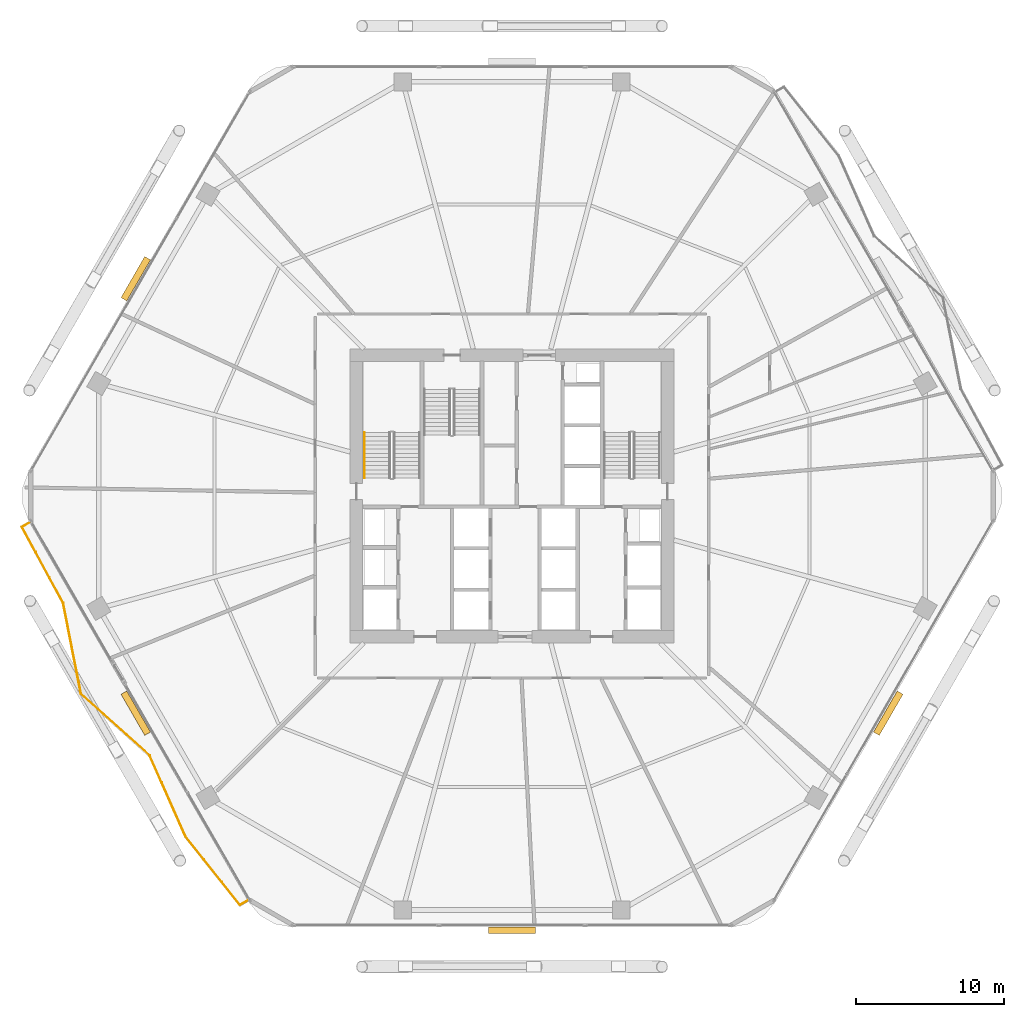
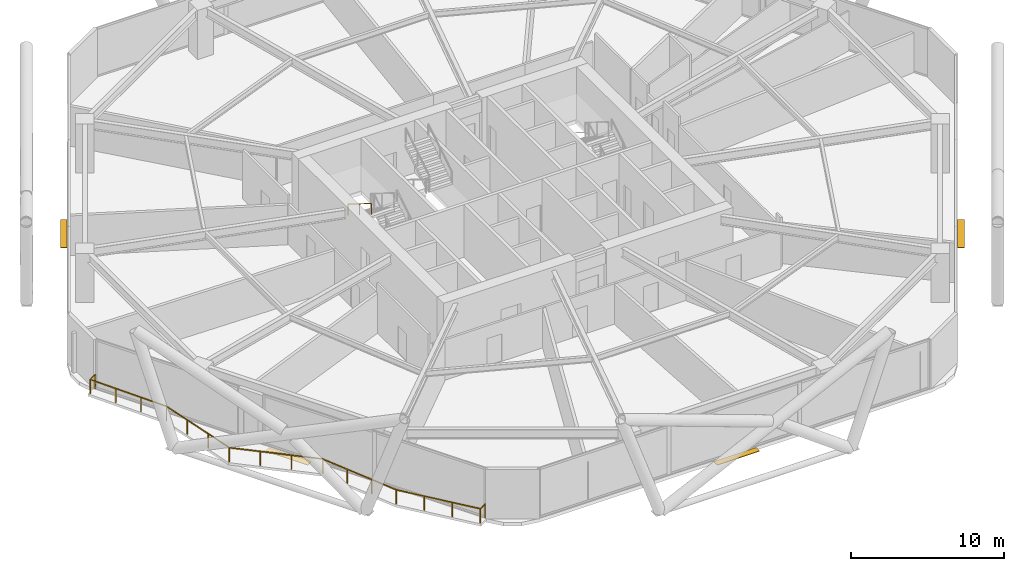
# One storey, part 28 of 30: 4 shading devices, 2 railings.
"""IFC4 building model written with IfcOpenShell, lengths in metres."""

import ifcopenshell
import ifcopenshell.guid

model = None  # the IFC model being written
_history = None  # IfcOwnerHistory: only IFC2X3 demands one
_inside = {}  # id of a spatial element -> (the spatial element, [elements in it])
_under = {}  # id of a project, library or spatial element -> (it, [spatial elements below it])
_declared = {}  # id of a project -> (the project, [libraries it declares])
_typed = {}  # id of a type object -> (the type object, [elements of that type])
_made_of = {}  # id of a material, layer set ... -> (it, [elements and type objects made of it])


def new_model(schema):
    """Start an empty IFC model of exactly this schema.

    Asked for "IFC4X3", IfcOpenShell would pick the latest addendum, in which some entities
    have other attributes; the version numbers below select the first issue.
    IFC2X3 requires an IfcOwnerHistory on every rooted entity: one is made here for all.
    """
    global model, _history
    if schema == "IFC4X3":
        model = ifcopenshell.file(schema_version=(4, 3, 0, 0))
    else:
        model = ifcopenshell.file(schema=schema)
    _inside.clear()
    _under.clear()
    _declared.clear()
    _typed.clear()
    _made_of.clear()
    _history = None
    if model.schema == "IFC2X3":
        org = make("IfcOrganization", Name="unknown")
        user = make(
            "IfcPersonAndOrganization",
            ThePerson=make("IfcPerson", FamilyName="unknown"),
            TheOrganization=org,
        )
        app = make(
            "IfcApplication",
            ApplicationDeveloper=org,
            Version="unknown",
            ApplicationFullName="unknown",
            ApplicationIdentifier="unknown",
        )
        _history = make(
            "IfcOwnerHistory",
            OwningUser=user,
            OwningApplication=app,
            ChangeAction="ADDED",
            CreationDate=0,
        )
    return model


def make(cls, **values):
    """One entity of the class cls with the attributes given. An attribute that is None is left unset."""
    return model.create_entity(
        cls, **{name: value for name, value in values.items() if value is not None}
    )


def rooted(cls, **values):
    """An entity with a GlobalId (a new one), such as an element, a storey or a relation."""
    return make(cls, GlobalId=ifcopenshell.guid.new(), OwnerHistory=_history, **values)


def si_unit(unit_type, name, prefix=None):
    """IfcSIUnit, for example si_unit("LENGTHUNIT", "METRE", prefix="MILLI")."""
    return make("IfcSIUnit", UnitType=unit_type, Prefix=prefix, Name=name)


def assignment(units):
    """IfcUnitAssignment: the units of a project."""
    return None if units is None else make("IfcUnitAssignment", Units=units)


def point(xyz):
    """IfcCartesianPoint."""
    return None if xyz is None else make("IfcCartesianPoint", Coordinates=xyz)


def direction(xyz):
    """IfcDirection."""
    return None if xyz is None else make("IfcDirection", DirectionRatios=xyz)


def frame(location, z_axis=None, x_axis=None):
    """IfcAxis2Placement3D, a coordinate frame: its origin and axes. An axis left out is left unset."""
    return make(
        "IfcAxis2Placement3D",
        Location=point(location),
        Axis=direction(z_axis),
        RefDirection=direction(x_axis),
    )


def frame_2d(location, x_axis=None):
    """IfcAxis2Placement2D, a coordinate frame in the plane: its origin and x axis."""
    return make(
        "IfcAxis2Placement2D", Location=point(location), RefDirection=direction(x_axis)
    )


def origin():
    """The frame at (0, 0, 0) with its axes left unset."""
    return frame((0.0, 0.0, 0.0))


def origin_2d():
    """The frame at (0, 0) in the plane with its x axis left unset."""
    return frame_2d((0.0, 0.0))


def place(relative_to, where):
    """IfcLocalPlacement: puts the frame where relative to a parent placement (None: the world)."""
    return make(
        "IfcLocalPlacement", PlacementRelTo=relative_to, RelativePlacement=where
    )


def context(
    kind, dimensions, precision=None, world=None, true_north=None, identifier=None
):
    """IfcGeometricRepresentationContext, for example the 3D "Model" context."""
    return make(
        "IfcGeometricRepresentationContext",
        ContextIdentifier=identifier,
        ContextType=kind,
        CoordinateSpaceDimension=dimensions,
        Precision=precision,
        WorldCoordinateSystem=world,
        TrueNorth=true_north,
    )


def subcontext(parent, identifier, kind, view, scale=None):
    """IfcGeometricRepresentationSubContext, for example "Body" below "Model"."""
    return make(
        "IfcGeometricRepresentationSubContext",
        ContextIdentifier=identifier,
        ContextType=kind,
        ParentContext=parent,
        TargetScale=scale,
        TargetView=view,
    )


def project(units=None, contexts=None):
    """IfcProject with its units and contexts."""
    return rooted(
        "IfcProject",
        Name="project",
        RepresentationContexts=contexts,
        UnitsInContext=assignment(units),
    )


def spatial(cls, under=None, at=None, **own):
    """A site, building, storey or space (cls), placed at a placement, below another one or the project."""
    s = rooted(cls, ObjectPlacement=at, **own)
    if under is not None:
        _under.setdefault(under.id(), (under, []))[1].append(s)
    return s


def profile(cls, at=None, kind="AREA", **sizes):
    """A parametric profile (cls). Its sizes go by their IFC names, for example OverallWidth=200.0."""
    return make(cls, ProfileType=kind, Position=at, **sizes)


def rectangle(**sizes):
    """IfcRectangleProfileDef."""
    return profile("IfcRectangleProfileDef", **sizes)


def extrude(swept, where, along, depth):
    """IfcExtrudedAreaSolid: the profile swept, set in the frame where, extruded along a direction by depth."""
    return make(
        "IfcExtrudedAreaSolid",
        SweptArea=swept,
        Position=where,
        ExtrudedDirection=direction(along),
        Depth=depth,
    )


def shape(context_of_items, identifier, shape_type, items):
    """IfcShapeRepresentation: the items that make up one representation, for example the "Body"."""
    return make(
        "IfcShapeRepresentation",
        ContextOfItems=context_of_items,
        RepresentationIdentifier=identifier,
        RepresentationType=shape_type,
        Items=items,
    )


def material(Name=None, Category=None):
    """IfcMaterial."""
    return make("IfcMaterial", Name=Name, Category=Category)


def layer(
    of_material, thickness, ventilated=None, Name=None, Category=None, Priority=None
):
    """IfcMaterialLayer: one layer of a wall or slab, of a material (None: an air gap)."""
    return make(
        "IfcMaterialLayer",
        Material=of_material,
        LayerThickness=thickness,
        IsVentilated=ventilated,
        Name=Name,
        Category=Category,
        Priority=Priority,
    )


def layer_set(layers, Name=None):
    """IfcMaterialLayerSet."""
    return make("IfcMaterialLayerSet", MaterialLayers=layers, LayerSetName=Name)


def made_of(thing, what):
    """Note that an element or type object is made of a material, layer set ...; save() writes the relation."""
    if what is not None:
        _made_of.setdefault(what.id(), (what, []))[1].append(thing)
    return thing


def type_object(cls, material=None, **own):
    """A type object (cls), such as IfcWallType, which elements share."""
    return made_of(rooted(cls, **own), material)


def element(
    cls,
    number,
    at=None,
    inside=None,
    cuts=None,
    type_object=None,
    material=None,
    context=None,
    identifier="Body",
    shape_type=None,
    held_by="IfcProductDefinitionShape",
    body=None,
    shapes=None,
    **own,
):
    """One element of the class cls, such as IfcWall. Its Tag is "e" and its number.

    at: its placement. inside: the storey or other place that contains it. cuts: it is an
    opening in that element (IfcRelVoidsElement). A single representation is given by context,
    identifier, shape_type and body (its items); several are given by shapes. held_by: the class
    of the entity that holds the representations. save() writes the other relations.
    """
    e = rooted(cls, Tag="e%d" % number, ObjectPlacement=at, **own)
    if body is not None:
        shapes = [shape(context, identifier, shape_type, body)]
    if shapes is not None:
        e.Representation = make(held_by, Representations=shapes)
    if inside is not None:
        _inside.setdefault(inside.id(), (inside, []))[1].append(e)
    if cuts is not None:
        rooted(
            "IfcRelVoidsElement", RelatingBuildingElement=cuts, RelatedOpeningElement=e
        )
    if type_object is not None:
        _typed.setdefault(type_object.id(), (type_object, []))[1].append(e)
    return made_of(e, material)


def aggregate(whole, parts):
    """IfcRelAggregates: a whole, such as a stair, and the parts it consists of."""
    return rooted("IfcRelAggregates", RelatingObject=whole, RelatedObjects=parts)


def save(model, path):
    """Write the relations noted so far, then the file.

    IfcRelAggregates (storeys below a building ...), IfcRelContainedInSpatialStructure (elements
    in a storey), IfcRelDefinesByType, IfcRelAssociatesMaterial and IfcRelDeclares: one each for
    every whole, place, type object, material and project.
    """
    for whole, parts in _under.values():
        aggregate(whole, parts)
    for where, things in _inside.values():
        rooted(
            "IfcRelContainedInSpatialStructure",
            RelatedElements=things,
            RelatingStructure=where,
        )
    for kind, things in _typed.values():
        rooted("IfcRelDefinesByType", RelatedObjects=things, RelatingType=kind)
    for what, things in _made_of.values():
        rooted("IfcRelAssociatesMaterial", RelatedObjects=things, RelatingMaterial=what)
    for by, libraries in _declared.values():
        rooted("IfcRelDeclares", RelatingContext=by, RelatedDefinitions=libraries)
    model.write(path)


model = new_model("IFC4")

# Units and contexts
model_context = context("Model", 3, precision=1e-05, world=origin(), true_north=direction((0.0, 1.0)))
body_context = subcontext(model_context, "Body", "Model", "MODEL_VIEW")
ifc_project = project(units=[si_unit("LENGTHUNIT", "METRE"), si_unit("AREAUNIT", "SQUARE_METRE"), si_unit("VOLUMEUNIT", "CUBIC_METRE"), si_unit("PLANEANGLEUNIT", "RADIAN"), si_unit("MASSUNIT", "GRAM", prefix="KILO")], contexts=[model_context])

# Site, building, storey
site_placement = place(None, origin())
site = spatial("IfcSite", under=ifc_project, at=site_placement, CompositionType="ELEMENT")
building_placement = place(site_placement, origin())
building = spatial("IfcBuilding", under=site, at=building_placement, Name="Zuhravey Tower", CompositionType="ELEMENT")
storey_placement = place(building_placement, frame((0.0, 0.0, 16.199951171875)))
storey = spatial("IfcBuildingStorey", under=building, at=storey_placement, Name="L04", CompositionType="ELEMENT", Elevation=16.199951171875)

# Railing
ifc_material_1 = material(Name="Stainless steel 316 and laminated glass", Category="steel")
railing_type_1 = type_object("IfcRailingType", Name="Balcony & Terrace Guardrail 1150", PredefinedType="BALUSTRADE", material=ifc_material_1)
railing_1_placement = place(storey_placement, frame((18.2119140625, 4.72314453125, 0.0)))
element("IfcRailing", 1, at=railing_1_placement, inside=storey, type_object=railing_type_1, Name="L04 Face 4 Wave Balcony Guardrail GR1", PredefinedType="BALUSTRADE", context=body_context, shape_type="SweptSolid", body=[
    extrude(rectangle(XDim=0.048095703125, YDim=0.048095703125, at=origin_2d()), frame((-0.001708984375, -0.0009765625, 1.1259765625), z_axis=(-0.865936922628, -0.500153222552, 0.0), x_axis=(0.500153222552, -0.865936922628, 0.0)), (0.0, 0.0, 1.0), 0.650146484375),
    extrude(rectangle(XDim=0.048095703125, YDim=0.048095703125, at=origin_2d()), frame((-0.567626953125, -0.32568359375, 1.1259765625), z_axis=(-0.623356744001, 0.781937574049, 0.0), x_axis=(-0.781937574049, -0.623356744001, 0.0)), (0.0, 0.0, 1.0), 5.8955078125),
    extrude(rectangle(XDim=0.048095703125, YDim=0.048095703125, at=origin_2d()), frame((-4.24462890625, 4.28759765625, 1.1259765625), z_axis=(-0.404624984748, 0.914482707172, 0.0), x_axis=(-0.914482707172, -0.404624984748, 0.0)), (0.0, 0.0, 1.0), 5.969970703125),
    extrude(rectangle(XDim=0.048095703125, YDim=0.048095703125, at=origin_2d()), frame((-6.66259765625, 9.750244140625, 1.1259765625), z_axis=(-0.744693696148, 0.667406397121, 0.0), x_axis=(-0.667406397121, -0.744693696148, 0.0)), (0.0, 0.0, 1.0), 6.225341796875),
    extrude(rectangle(XDim=0.048095703125, YDim=0.048095703125, at=origin_2d()), frame((-11.300537109375, 13.908447265625, 1.1259765625), z_axis=(-0.191916769066, 0.98141120523, 0.0), x_axis=(-0.98141120523, -0.191916769066, 0.0)), (0.0, 0.0, 1.0), 6.24853515625),
    extrude(rectangle(XDim=0.048095703125, YDim=0.048095703125, at=origin_2d()), frame((-12.5009765625, 20.04443359375, 1.1259765625), z_axis=(-0.475967260889, 0.879462998973, 0.0), x_axis=(-0.879462998973, -0.475967260889, 0.0)), (0.0, 0.0, 1.0), 5.84765625),
    extrude(rectangle(XDim=0.048095703125, YDim=0.048095703125, at=origin_2d()), frame((-15.283447265625, 25.18994140625, 1.1259765625), z_axis=(0.8660843843, 0.499897828833, 0.0), x_axis=(-0.499897828833, 0.8660843843, 0.0)), (0.0, 0.0, 1.0), 0.638671875),
    extrude(rectangle(XDim=0.0419921875, YDim=0.0419921875, at=origin_2d()), origin(), (0.0, 0.0, 1.0), 1.099853515625),
    extrude(rectangle(XDim=0.0419921875, YDim=0.0419921875, at=origin_2d()), frame((-0.56640625, -0.3271484375, 0.0)), (0.0, 0.0, 1.0), 1.099853515625),
    extrude(rectangle(XDim=0.0419921875, YDim=0.0419921875, at=origin_2d()), frame((-1.792236328125, 1.21044921875, 0.0)), (0.0, 0.0, 1.0), 1.099853515625),
    extrude(rectangle(XDim=0.0419921875, YDim=0.0419921875, at=origin_2d()), frame((-3.01806640625, 2.748291015625, 0.0)), (0.0, 0.0, 1.0), 1.099853515625),
    extrude(rectangle(XDim=0.0419921875, YDim=0.0419921875, at=origin_2d()), frame((-4.243896484375, 4.285888671875, 0.0)), (0.0, 0.0, 1.0), 1.099853515625),
    extrude(rectangle(XDim=0.0419921875, YDim=0.0419921875, at=origin_2d()), frame((-5.049560546875, 6.10693359375, 0.0)), (0.0, 0.0, 1.0), 1.099853515625),
    extrude(rectangle(XDim=0.0419921875, YDim=0.0419921875, at=origin_2d()), frame((-5.85546875, 7.927978515625, 0.0)), (0.0, 0.0, 1.0), 1.099853515625),
    extrude(rectangle(XDim=0.0419921875, YDim=0.0419921875, at=origin_2d()), frame((-6.6611328125, 9.7490234375, 0.0)), (0.0, 0.0, 1.0), 1.099853515625),
    extrude(rectangle(XDim=0.0419921875, YDim=0.0419921875, at=origin_2d()), frame((-8.20751953125, 11.134765625, 0.0)), (0.0, 0.0, 1.0), 1.099853515625),
    extrude(rectangle(XDim=0.0419921875, YDim=0.0419921875, at=origin_2d()), frame((-9.753662109375, 12.520751953125, 0.0)), (0.0, 0.0, 1.0), 1.099853515625),
    extrude(rectangle(XDim=0.0419921875, YDim=0.0419921875, at=origin_2d()), frame((-11.300048828125, 13.906494140625, 0.0)), (0.0, 0.0, 1.0), 1.099853515625),
    extrude(rectangle(XDim=0.0419921875, YDim=0.0419921875, at=origin_2d()), frame((-11.699951171875, 15.951904296875, 0.0)), (0.0, 0.0, 1.0), 1.099853515625),
    extrude(rectangle(XDim=0.0419921875, YDim=0.0419921875, at=origin_2d()), frame((-12.10009765625, 17.997314453125, 0.0)), (0.0, 0.0, 1.0), 1.099853515625),
    extrude(rectangle(XDim=0.0419921875, YDim=0.0419921875, at=origin_2d()), frame((-12.5, 20.042724609375, 0.0)), (0.0, 0.0, 1.0), 1.099853515625),
    extrude(rectangle(XDim=0.0419921875, YDim=0.0419921875, at=origin_2d()), frame((-13.428466796875, 21.758056640625, 0.0)), (0.0, 0.0, 1.0), 1.099853515625),
    extrude(rectangle(XDim=0.0419921875, YDim=0.0419921875, at=origin_2d()), frame((-14.356689453125, 23.4736328125, 0.0)), (0.0, 0.0, 1.0), 1.099853515625),
    extrude(rectangle(XDim=0.0419921875, YDim=0.0419921875, at=origin_2d()), frame((-15.28515625, 25.18896484375, 0.0)), (0.0, 0.0, 1.0), 1.099853515625),
    extrude(rectangle(XDim=0.0419921875, YDim=0.0419921875, at=origin_2d()), frame((-14.728515625, 25.51025390625, 0.0)), (0.0, 0.0, 1.0), 1.099853515625),
])

# Shading devices
ifc_material_2 = material(Name="Bronze-anodised extruded aluminium", Category="aluminium")
ifc_layer = layer(ifc_material_2, 0.0400390625)
ifc_layer_set = layer_set([ifc_layer], Name="Bronze-anodised extruded aluminium")
shading_device_type = type_object("IfcShadingDeviceType", Name="Horizontal Sunshade Fin", PredefinedType="JALOUSIE", material=ifc_layer_set)
for number, where, z_axis, x_axis, name in (
    (2, (61.394775390625, 17.33837890625, -0.099853515625), (0.0, 0.0, 1.0), (-0.5, -0.866025403784, 0.0), "L04 Face 6 Horizontal Sunshade Fin SUN1"),
    (3, (36.0, 2.676513671875, -0.099853515625), (0.0, 0.0, 1.0), (-1.0, 0.0, 0.0), "L04 Face 5 Horizontal Sunshade Fin SUN1"),
    (4, (10.605224609375, 17.33837890625, -0.099853515625), (0.0, 0.0, 1.0), (-0.5, 0.866025403784, 0.0), "L04 Face 4 Horizontal Sunshade Fin SUN1"),
    (5, (10.605224609375, 46.66162109375, -0.099853515625), (0.0, 0.0, 1.0), (0.5, 0.866025403784, 0.0), "L04 Face 3 Horizontal Sunshade Fin SUN1"),
):
    element("IfcShadingDevice", number, at=place(storey_placement, frame(where, z_axis=z_axis, x_axis=x_axis)), inside=storey, type_object=shading_device_type, Name=name, PredefinedType="JALOUSIE", context=body_context, shape_type="SweptSolid", body=[
        extrude(rectangle(XDim=3.199951171875, YDim=0.449951171875, at=origin_2d()), origin(), (0.0, 0.0, 1.0), 0.0400390625),
    ])

# Railing
ifc_material_3 = material(Name="Brushed stainless steel", Category="steel")
railing_type_2 = type_object("IfcRailingType", Name="Stair Wall Handrail 900", PredefinedType="HANDRAIL", material=ifc_material_3)
railing_2_placement = place(storey_placement, frame((26.050048828125, 36.280029296875, 2.275146484375)))
element("IfcRailing", 6, at=railing_2_placement, inside=storey, type_object=railing_type_2, Name="L04 ST1 stair handrail 2", PredefinedType="HANDRAIL", context=body_context, shape_type="SweptSolid", body=[
    extrude(rectangle(XDim=0.048095703125, YDim=0.048095703125, at=origin_2d()), frame((0.0, -0.001708984375, 0.876953125), z_axis=(0.0, -0.848028513186, 0.529950602248), x_axis=(1.0, 0.0, 0.0)), (0.0, 0.0, 1.0), 3.6279296875),
    extrude(rectangle(XDim=0.0419921875, YDim=0.0419921875, at=origin_2d()), origin(), (0.0, 0.0, 1.0), 0.849853515625),
    extrude(rectangle(XDim=0.0419921875, YDim=0.0419921875, at=origin_2d()), frame((0.0, -1.5400390625, 0.96240234375)), (0.0, 0.0, 1.0), 0.849853515625),
    extrude(rectangle(XDim=0.0419921875, YDim=0.0419921875, at=origin_2d()), frame((0.0, -3.080078125, 1.9248046875)), (0.0, 0.0, 1.0), 0.849853515625),
])

save(model, "model.ifc")
